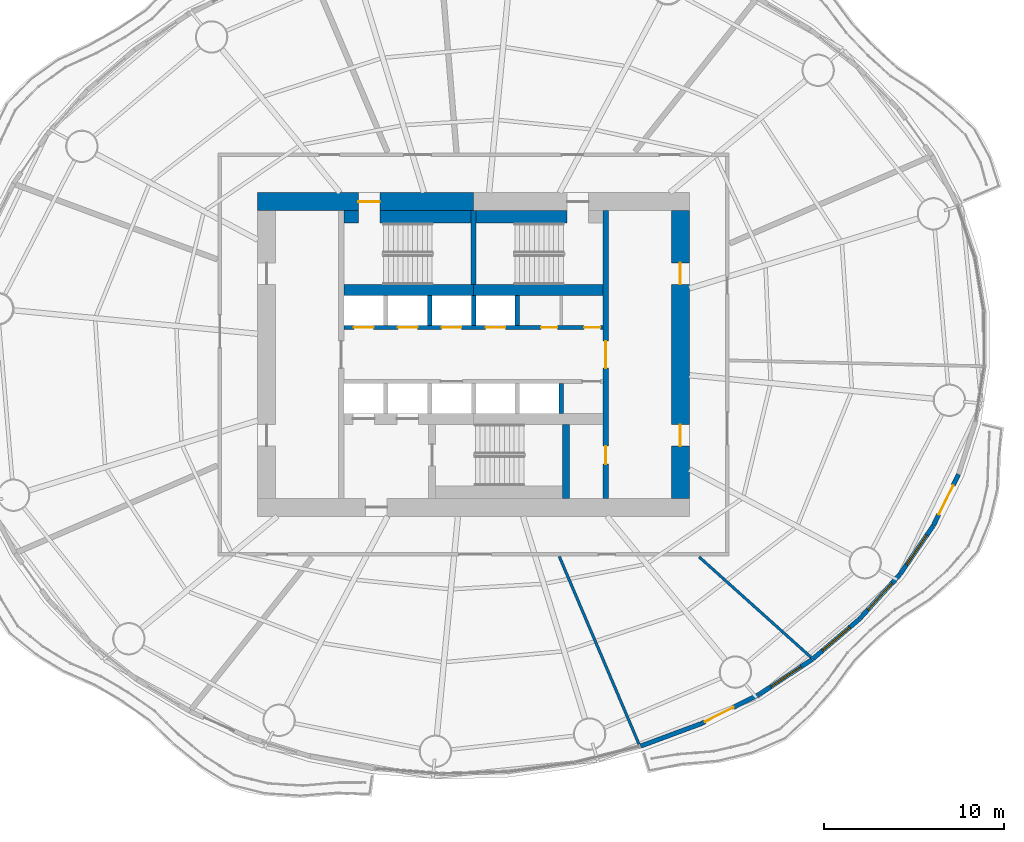
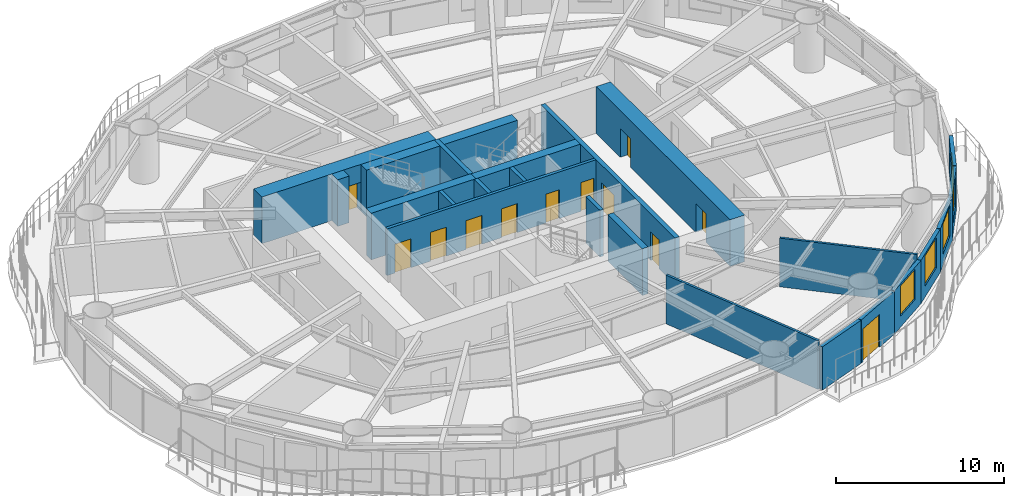
# One storey, part 9 of 17: 24 walls, 13 doors, 4 windows, 17 openings.
"""IFC4 building model written with IfcOpenShell, lengths in metres."""

from ifc_helpers import new_model, si_unit, direction, frame, frame_2d, origin, place, context, subcontext, project, spatial, rectangle, extrude, material, layer, layer_set, type_object, element, fill, save


model = new_model("IFC4")

# Units and contexts
model_context = context("Model", 3, precision=1e-05, world=origin(), true_north=direction((0.0, 1.0)))
body_context = subcontext(model_context, "Body", "Model", "MODEL_VIEW")
ifc_project = project(units=[si_unit("LENGTHUNIT", "METRE"), si_unit("AREAUNIT", "SQUARE_METRE"), si_unit("VOLUMEUNIT", "CUBIC_METRE"), si_unit("PLANEANGLEUNIT", "RADIAN"), si_unit("MASSUNIT", "GRAM", prefix="KILO")], contexts=[model_context])

# Site, building, storey
site_placement = place(None, origin())
site = spatial("IfcSite", under=ifc_project, at=site_placement, CompositionType="ELEMENT")
building_placement = place(site_placement, origin())
building = spatial("IfcBuilding", under=site, at=building_placement, Name="Vermilion Reach Broadcast Tower", CompositionType="ELEMENT")
storey_placement = place(building_placement, frame((0.0, 0.0, 54.5)))
storey = spatial("IfcBuildingStorey", under=building, at=storey_placement, Name="L10", CompositionType="ELEMENT", Elevation=54.5)

# Wall, openings, doors
ifc_material_1 = material(Name="Concrete C70", Category="concrete")
ifc_layer_1 = layer(ifc_material_1, 0.300048828125)
ifc_layer_set_1 = layer_set([ifc_layer_1], Name="Core inner wall 300 mm Concrete C70")
wall_type_1 = type_object("IfcWallType", Name="Core inner wall 300 mm Concrete C70", PredefinedType="SHEAR", material=ifc_layer_set_1)
wall_1_placement = place(storey_placement, frame((1.35009765625, -8.0, 0.0), z_axis=(0.0, 0.0, 1.0), x_axis=(0.0, 1.0, 0.0)))
wall_1 = element("IfcWall", 1, at=wall_1_placement, inside=storey, type_object=wall_type_1, Name="L10 core wall ewE", PredefinedType="SHEAR", context=body_context, shape_type="SweptSolid", body=[
    extrude(rectangle(XDim=16.0, YDim=0.300048828125, at=frame_2d((8.0, 0.0))), origin(), (0.0, 0.0, 1.0), 3.39990234375),
])
opening_1_placement = place(wall_1_placement, frame((1.909912109375, 0.0, 0.0)))
opening_1 = element("IfcOpeningElement", 2, at=opening_1_placement, cuts=wall_1, Name="Opening D05", PredefinedType="OPENING", context=body_context, shape_type="SweptSolid", body=[
    extrude(rectangle(XDim=1.0, YDim=2.10009765625, at=frame_2d((0.5, 1.050048828125))), frame((0.0, 0.159912109375, 0.0), z_axis=(0.0, -1.0, 0.0), x_axis=(1.0, 0.0, 0.0)), (0.0, 0.0, 1.0), 0.320068359375),
])
opening_2_placement = place(wall_1_placement, frame((7.25, 0.0, 0.0)))
opening_2 = element("IfcOpeningElement", 3, at=opening_2_placement, cuts=wall_1, Name="Opening D04", PredefinedType="OPENING", context=body_context, shape_type="SweptSolid", body=[
    extrude(rectangle(XDim=1.5, YDim=2.10009765625, at=frame_2d((0.75, 1.050048828125))), frame((0.0, 0.159912109375, 0.0), z_axis=(0.0, -1.0, 0.0), x_axis=(1.0, 0.0, 0.0)), (0.0, 0.0, 1.0), 0.320068359375),
])
ifc_material_2 = material(Name="Painted steel fire door", Category="steel")
door_type_1 = type_object("IfcDoorType", Name="Lift lobby door 1500 x 2100", OperationType="DOUBLE_DOOR_SINGLE_SWING", PredefinedType="NOTDEFINED", material=ifc_material_2)
door_1_placement = place(opening_2_placement, origin())
door_1 = element("IfcDoor", 4, at=door_1_placement, inside=storey, type_object=door_type_1, Name="L10 band door BE", OperationType="DOUBLE_DOOR_SINGLE_SWING", OverallHeight=2.10009765625, OverallWidth=1.5, PredefinedType="NOTDEFINED", context=body_context, shape_type="SweptSolid", body=[
    extrude(rectangle(XDim=1.5, YDim=2.10009765625, at=frame_2d((0.75, 1.050048828125))), frame((0.0, 0.02490234375, 0.0), z_axis=(0.0, -1.0, 0.0), x_axis=(1.0, 0.0, 0.0)), (0.0, 0.0, 1.0), 0.050048828125),
])
fill(opening_2, door_1)
ifc_material_3 = material(Name="Timber door", Category="wood")
door_type_2 = type_object("IfcDoorType", Name="Room door 1000 x 2100", OperationType="NOTDEFINED", PredefinedType="NOTDEFINED", material=ifc_material_3)
door_2_placement = place(opening_1_placement, origin())
door_2 = element("IfcDoor", 5, at=door_2_placement, inside=storey, type_object=door_type_2, Name="L10 door SER", OperationType="SINGLE_SWING_LEFT", OverallHeight=2.10009765625, OverallWidth=1.0, PredefinedType="NOTDEFINED", context=body_context, shape_type="SweptSolid", body=[
    extrude(rectangle(XDim=1.0, YDim=2.10009765625, at=frame_2d((0.5, 1.050048828125))), frame((0.0, 0.02490234375, 0.0), z_axis=(0.0, -1.0, 0.0), x_axis=(1.0, 0.0, 0.0)), (0.0, 0.0, 1.0), 0.050048828125),
])
fill(opening_1, door_2)

# Walls
wall_2_placement = place(storey_placement, frame((-6.0, 3.8798828125, 0.0), z_axis=(0.0, 0.0, 1.0), x_axis=(0.0, 1.0, 0.0)))
element("IfcWall", 6, at=wall_2_placement, inside=storey, type_object=wall_type_1, Name="L10 core wall wc", PredefinedType="SHEAR", context=body_context, shape_type="SweptSolid", body=[
    extrude(rectangle(XDim=4.1201171875, YDim=0.300048828125, at=frame_2d((2.06005859375, 0.0))), origin(), (0.0, 0.0, 1.0), 3.39990234375),
])
ifc_material_4 = material(Name="Concrete C70", Category="concrete")
ifc_layer_2 = layer(ifc_material_4, 0.39990234375)
ifc_layer_set_2 = layer_set([ifc_layer_2], Name="Core inner wall 400 mm Concrete C70")
wall_type_2 = type_object("IfcWallType", Name="Core inner wall 400 mm Concrete C70", PredefinedType="SHEAR", material=ifc_layer_set_2)
wall_3_placement = place(storey_placement, frame((-0.85009765625, -3.8798828125, 0.0), z_axis=(0.0, 0.0, 1.0), x_axis=(0.0, -1.0, 0.0)))
element("IfcWall", 7, at=wall_3_placement, inside=storey, type_object=wall_type_2, Name="L10 core wall wb", PredefinedType="SHEAR", context=body_context, shape_type="SweptSolid", body=[
    extrude(rectangle(XDim=4.1201171875, YDim=0.39990234375, at=frame_2d((2.06005859375, 0.0))), origin(), (0.0, 0.0, 1.0), 3.39990234375),
])
ifc_material_5 = material(Name="Concrete C70", Category="concrete")
ifc_layer_3 = layer(ifc_material_5, 0.60009765625)
ifc_layer_set_3 = layer_set([ifc_layer_3], Name="Core inner wall 600 mm Concrete C70")
wall_type_3 = type_object("IfcWallType", Name="Core inner wall 600 mm Concrete C70", PredefinedType="SHEAR", material=ifc_layer_set_3)
for number, where, z_axis, x_axis, name in (
    (8, (-13.199951171875, 3.580078125, 0.0), (0.0, 0.0, 1.0), (1.0, 0.0, 0.0), "L10 core wall winW"),
    (9, (-6.0, 3.580078125, 0.0), (0.0, 0.0, 1.0), (1.0, 0.0, 0.0), "L10 core wall winE"),
):
    element("IfcWall", number, at=place(storey_placement, frame(where, z_axis=z_axis, x_axis=x_axis)), inside=storey, type_object=wall_type_3, Name=name, PredefinedType="SHEAR", context=body_context, shape_type="SweptSolid", body=[
        extrude(rectangle(XDim=7.199951171875, YDim=0.60009765625, at=frame_2d((3.60009765625, 0.0))), origin(), (0.0, 0.0, 1.0), 3.39990234375),
    ])

# Wall, opening, door
ifc_material_6 = material(Name="Concrete C70", Category="concrete")
ifc_layer_4 = layer(ifc_material_6, 1.0)
ifc_layer_set_4 = layer_set([ifc_layer_4], Name="Core outer wall 1000 mm Concrete C70")
wall_type_4 = type_object("IfcWallType", Name="Core outer wall 1000 mm Concrete C70", PredefinedType="SHEAR", material=ifc_layer_set_4)
wall_4_placement = place(storey_placement, frame((-6.0, 8.5, 0.0), z_axis=(0.0, 0.0, 1.0), x_axis=(-1.0, 0.0, 0.0)))
wall_4 = element("IfcWall", 10, at=wall_4_placement, inside=storey, type_object=wall_type_4, Name="L10 core wall onW", PredefinedType="SHEAR", context=body_context, shape_type="SweptSolid", body=[
    extrude(rectangle(XDim=12.0, YDim=1.0, at=frame_2d((6.0, 0.0))), origin(), (0.0, 0.0, 1.0), 3.39990234375),
])
opening_3_placement = place(wall_4_placement, frame((5.199951171875, 0.0, 0.0)))
opening_3 = element("IfcOpeningElement", 11, at=opening_3_placement, cuts=wall_4, Name="Opening D01", PredefinedType="OPENING", context=body_context, shape_type="SweptSolid", body=[
    extrude(rectangle(XDim=1.199951171875, YDim=2.10009765625, at=frame_2d((0.60009765625, 1.050048828125))), frame((0.0, 0.510009765625, 0.0), z_axis=(0.0, -1.0, 0.0), x_axis=(1.0, 0.0, 0.0)), (0.0, 0.0, 1.0), 1.02001953125),
])
ifc_material_7 = material(Name="Painted steel fire door", Category="steel")
door_type_3 = type_object("IfcDoorType", Name="Stair door 1200 x 2100", OperationType="DOUBLE_DOOR_SINGLE_SWING", PredefinedType="NOTDEFINED", material=ifc_material_7)
door_3_placement = place(opening_3_placement, origin())
door_3 = element("IfcDoor", 12, at=door_3_placement, inside=storey, type_object=door_type_3, Name="L10 stair door ST1", OperationType="DOUBLE_DOOR_SINGLE_SWING", OverallHeight=2.10009765625, OverallWidth=1.199951171875, PredefinedType="NOTDEFINED", context=body_context, shape_type="SweptSolid", body=[
    extrude(rectangle(XDim=1.199951171875, YDim=2.10009765625, at=frame_2d((0.60009765625, 1.050048828125))), frame((0.0, 0.02490234375, 0.0), z_axis=(0.0, -1.0, 0.0), x_axis=(1.0, 0.0, 0.0)), (0.0, 0.0, 1.0), 0.050048828125),
])
fill(opening_3, door_3)

# Wall, openings, doors
wall_5_placement = place(storey_placement, frame((5.5, -8.0, 0.0), z_axis=(0.0, 0.0, 1.0), x_axis=(0.0, 1.0, 0.0)))
wall_5 = element("IfcWall", 13, at=wall_5_placement, inside=storey, type_object=wall_type_4, Name="L10 core wall oe", PredefinedType="SHEAR", context=body_context, shape_type="SweptSolid", body=[
    extrude(rectangle(XDim=16.0, YDim=1.0, at=frame_2d((8.0, 0.0))), origin(), (0.0, 0.0, 1.0), 3.39990234375),
])
opening_4_placement = place(wall_5_placement, frame((2.89990234375, 0.0, 0.0)))
opening_4 = element("IfcOpeningElement", 14, at=opening_4_placement, cuts=wall_5, Name="Opening D03", PredefinedType="OPENING", context=body_context, shape_type="SweptSolid", body=[
    extrude(rectangle(XDim=1.199951171875, YDim=2.10009765625, at=frame_2d((0.60009765625, 1.050048828125))), frame((0.0, 0.510009765625, 0.0), z_axis=(0.0, -1.0, 0.0), x_axis=(1.0, 0.0, 0.0)), (0.0, 0.0, 1.0), 1.02001953125),
])
opening_5_placement = place(wall_5_placement, frame((11.89990234375, 0.0, 0.0)))
opening_5 = element("IfcOpeningElement", 15, at=opening_5_placement, cuts=wall_5, Name="Opening D03", PredefinedType="OPENING", context=body_context, shape_type="SweptSolid", body=[
    extrude(rectangle(XDim=1.199951171875, YDim=2.10009765625, at=frame_2d((0.60009765625, 1.050048828125))), frame((0.0, 0.510009765625, 0.0), z_axis=(0.0, -1.0, 0.0), x_axis=(1.0, 0.0, 0.0)), (0.0, 0.0, 1.0), 1.02001953125),
])
ifc_material_8 = material(Name="Painted steel fire door", Category="steel")
door_type_4 = type_object("IfcDoorType", Name="Core lobby door 1200 x 2100", OperationType="DOUBLE_DOOR_SINGLE_SWING", PredefinedType="NOTDEFINED", material=ifc_material_8)
door_4_placement = place(opening_4_placement, origin())
door_4 = element("IfcDoor", 16, at=door_4_placement, inside=storey, type_object=door_type_4, Name="L10 slot door E0", OperationType="DOUBLE_DOOR_SINGLE_SWING", OverallHeight=2.10009765625, OverallWidth=1.199951171875, PredefinedType="NOTDEFINED", context=body_context, shape_type="SweptSolid", body=[
    extrude(rectangle(XDim=1.199951171875, YDim=2.10009765625, at=frame_2d((0.60009765625, 1.050048828125))), frame((0.0, 0.02490234375, 0.0), z_axis=(0.0, -1.0, 0.0), x_axis=(1.0, 0.0, 0.0)), (0.0, 0.0, 1.0), 0.050048828125),
])
fill(opening_4, door_4)
door_5_placement = place(opening_5_placement, origin())
door_5 = element("IfcDoor", 17, at=door_5_placement, inside=storey, type_object=door_type_4, Name="L10 slot door E1", OperationType="DOUBLE_DOOR_SINGLE_SWING", OverallHeight=2.10009765625, OverallWidth=1.199951171875, PredefinedType="NOTDEFINED", context=body_context, shape_type="SweptSolid", body=[
    extrude(rectangle(XDim=1.199951171875, YDim=2.10009765625, at=frame_2d((0.60009765625, 1.050048828125))), frame((0.0, 0.02490234375, 0.0), z_axis=(0.0, -1.0, 0.0), x_axis=(1.0, 0.0, 0.0)), (0.0, 0.0, 1.0), 0.050048828125),
])
fill(opening_5, door_5)

ifc_material_9 = material(Name="Concrete C50", Category="concrete")
ifc_layer_5 = layer(ifc_material_9, 0.199951171875)
ifc_layer_set_5 = layer_set([ifc_layer_5], Name="Core shaft wall 200 mm Concrete C50")
wall_type_5 = type_object("IfcWallType", Name="Core shaft wall 200 mm Concrete C50", PredefinedType="SHEAR", material=ifc_layer_set_5)
wall_6_placement = place(storey_placement, frame((-13.199951171875, 1.5, 0.0), z_axis=(0.0, 0.0, 1.0), x_axis=(1.0, 0.0, 0.0)))
wall_6 = element("IfcWall", 18, at=wall_6_placement, inside=storey, type_object=wall_type_5, Name="L10 core wall fn", PredefinedType="SHEAR", context=body_context, shape_type="SweptSolid", body=[
    extrude(rectangle(XDim=14.39990234375, YDim=0.199951171875, at=frame_2d((7.199951171875, 0.0))), origin(), (0.0, 0.0, 1.0), 3.39990234375),
])
opening_6_placement = place(wall_6_placement, frame((0.5458984375, 0.0, 0.0)))
opening_6 = element("IfcOpeningElement", 19, at=opening_6_placement, cuts=wall_6, Name="Opening LD2", PredefinedType="OPENING", context=body_context, shape_type="SweptSolid", body=[
    extrude(rectangle(XDim=1.10009765625, YDim=2.10009765625, at=frame_2d((0.550048828125, 1.050048828125))), frame((0.0, 0.10986328125, 0.0), z_axis=(0.0, -1.0, 0.0), x_axis=(1.0, 0.0, 0.0)), (0.0, 0.0, 1.0), 0.219970703125),
])
opening_7_placement = place(wall_6_placement, frame((2.987548828125, 0.0, 0.0)))
opening_7 = element("IfcOpeningElement", 20, at=opening_7_placement, cuts=wall_6, Name="Opening LD2", PredefinedType="OPENING", context=body_context, shape_type="SweptSolid", body=[
    extrude(rectangle(XDim=1.10009765625, YDim=2.10009765625, at=frame_2d((0.550048828125, 1.050048828125))), frame((0.0, 0.10986328125, 0.0), z_axis=(0.0, -1.0, 0.0), x_axis=(1.0, 0.0, 0.0)), (0.0, 0.0, 1.0), 0.219970703125),
])
opening_8_placement = place(wall_6_placement, frame((5.42919921875, 0.0, 0.0)))
opening_8 = element("IfcOpeningElement", 21, at=opening_8_placement, cuts=wall_6, Name="Opening LD2", PredefinedType="OPENING", context=body_context, shape_type="SweptSolid", body=[
    extrude(rectangle(XDim=1.10009765625, YDim=2.10009765625, at=frame_2d((0.550048828125, 1.050048828125))), frame((0.0, 0.10986328125, 0.0), z_axis=(0.0, -1.0, 0.0), x_axis=(1.0, 0.0, 0.0)), (0.0, 0.0, 1.0), 0.219970703125),
])
opening_9_placement = place(wall_6_placement, frame((7.870849609375, 0.0, 0.0)))
opening_9 = element("IfcOpeningElement", 22, at=opening_9_placement, cuts=wall_6, Name="Opening LD2", PredefinedType="OPENING", context=body_context, shape_type="SweptSolid", body=[
    extrude(rectangle(XDim=1.10009765625, YDim=2.10009765625, at=frame_2d((0.550048828125, 1.050048828125))), frame((0.0, 0.10986328125, 0.0), z_axis=(0.0, -1.0, 0.0), x_axis=(1.0, 0.0, 0.0)), (0.0, 0.0, 1.0), 0.219970703125),
])
opening_10_placement = place(wall_6_placement, frame((10.958251953125, 0.0, 0.0)))
opening_10 = element("IfcOpeningElement", 23, at=opening_10_placement, cuts=wall_6, Name="Opening D06", PredefinedType="OPENING", context=body_context, shape_type="SweptSolid", body=[
    extrude(rectangle(XDim=0.89990234375, YDim=2.10009765625, at=frame_2d((0.449951171875, 1.050048828125))), frame((0.0, 0.10986328125, 0.0), z_axis=(0.0, -1.0, 0.0), x_axis=(1.0, 0.0, 0.0)), (0.0, 0.0, 1.0), 0.219970703125),
])
opening_11_placement = place(wall_6_placement, frame((13.35009765625, 0.0, 0.0)))
opening_11 = element("IfcOpeningElement", 24, at=opening_11_placement, cuts=wall_6, Name="Opening D06", PredefinedType="OPENING", context=body_context, shape_type="SweptSolid", body=[
    extrude(rectangle(XDim=0.89990234375, YDim=2.10009765625, at=frame_2d((0.449951171875, 1.050048828125))), frame((0.0, 0.10986328125, 0.0), z_axis=(0.0, -1.0, 0.0), x_axis=(1.0, 0.0, 0.0)), (0.0, 0.0, 1.0), 0.219970703125),
])
ifc_material_10 = material(Name="Stainless steel", Category="steel")
door_type_5 = type_object("IfcDoorType", Name="Landing door 1100 x 2100", OperationType="DOUBLE_DOOR_SLIDING", PredefinedType="NOTDEFINED", material=ifc_material_10)
door_6_placement = place(opening_6_placement, origin())
door_6 = element("IfcDoor", 25, at=door_6_placement, inside=storey, type_object=door_type_5, Name="L10 landing door LR1", OperationType="DOUBLE_DOOR_SLIDING", OverallHeight=2.10009765625, OverallWidth=1.10009765625, PredefinedType="NOTDEFINED", context=body_context, shape_type="SweptSolid", body=[
    extrude(rectangle(XDim=1.10009765625, YDim=2.10009765625, at=frame_2d((0.550048828125, 1.050048828125))), frame((0.0, 0.02490234375, 0.0), z_axis=(0.0, -1.0, 0.0), x_axis=(1.0, 0.0, 0.0)), (0.0, 0.0, 1.0), 0.050048828125),
])
fill(opening_6, door_6)
door_7_placement = place(opening_7_placement, origin())
door_7 = element("IfcDoor", 26, at=door_7_placement, inside=storey, type_object=door_type_5, Name="L10 landing door LR2", OperationType="DOUBLE_DOOR_SLIDING", OverallHeight=2.10009765625, OverallWidth=1.10009765625, PredefinedType="NOTDEFINED", context=body_context, shape_type="SweptSolid", body=[
    extrude(rectangle(XDim=1.10009765625, YDim=2.10009765625, at=frame_2d((0.550048828125, 1.050048828125))), frame((0.0, 0.02490234375, 0.0), z_axis=(0.0, -1.0, 0.0), x_axis=(1.0, 0.0, 0.0)), (0.0, 0.0, 1.0), 0.050048828125),
])
fill(opening_7, door_7)
door_8_placement = place(opening_8_placement, origin())
door_8 = element("IfcDoor", 27, at=door_8_placement, inside=storey, type_object=door_type_5, Name="L10 landing door LR3", OperationType="DOUBLE_DOOR_SLIDING", OverallHeight=2.10009765625, OverallWidth=1.10009765625, PredefinedType="NOTDEFINED", context=body_context, shape_type="SweptSolid", body=[
    extrude(rectangle(XDim=1.10009765625, YDim=2.10009765625, at=frame_2d((0.550048828125, 1.050048828125))), frame((0.0, 0.02490234375, 0.0), z_axis=(0.0, -1.0, 0.0), x_axis=(1.0, 0.0, 0.0)), (0.0, 0.0, 1.0), 0.050048828125),
])
fill(opening_8, door_8)
door_9_placement = place(opening_9_placement, origin())
door_9 = element("IfcDoor", 28, at=door_9_placement, inside=storey, type_object=door_type_5, Name="L10 landing door LR4", OperationType="DOUBLE_DOOR_SLIDING", OverallHeight=2.10009765625, OverallWidth=1.10009765625, PredefinedType="NOTDEFINED", context=body_context, shape_type="SweptSolid", body=[
    extrude(rectangle(XDim=1.10009765625, YDim=2.10009765625, at=frame_2d((0.550048828125, 1.050048828125))), frame((0.0, 0.02490234375, 0.0), z_axis=(0.0, -1.0, 0.0), x_axis=(1.0, 0.0, 0.0)), (0.0, 0.0, 1.0), 0.050048828125),
])
fill(opening_9, door_9)
ifc_material_11 = material(Name="Timber door", Category="wood")
door_type_6 = type_object("IfcDoorType", Name="WC door 900 x 2100", OperationType="NOTDEFINED", PredefinedType="NOTDEFINED", material=ifc_material_11)
door_10_placement = place(opening_10_placement, origin())
door_10 = element("IfcDoor", 29, at=door_10_placement, inside=storey, type_object=door_type_6, Name="L10 door Female WC", OperationType="SINGLE_SWING_RIGHT", OverallHeight=2.10009765625, OverallWidth=0.89990234375, PredefinedType="NOTDEFINED", context=body_context, shape_type="SweptSolid", body=[
    extrude(rectangle(XDim=0.89990234375, YDim=2.10009765625, at=frame_2d((0.449951171875, 1.050048828125))), frame((0.0, 0.02490234375, 0.0), z_axis=(0.0, -1.0, 0.0), x_axis=(1.0, 0.0, 0.0)), (0.0, 0.0, 1.0), 0.050048828125),
])
fill(opening_10, door_10)
door_11_placement = place(opening_11_placement, origin())
door_11 = element("IfcDoor", 30, at=door_11_placement, inside=storey, type_object=door_type_6, Name="L10 door Male WC", OperationType="SINGLE_SWING_RIGHT", OverallHeight=2.10009765625, OverallWidth=0.89990234375, PredefinedType="NOTDEFINED", context=body_context, shape_type="SweptSolid", body=[
    extrude(rectangle(XDim=0.89990234375, YDim=2.10009765625, at=frame_2d((0.449951171875, 1.050048828125))), frame((0.0, 0.02490234375, 0.0), z_axis=(0.0, -1.0, 0.0), x_axis=(1.0, 0.0, 0.0)), (0.0, 0.0, 1.0), 0.050048828125),
])
fill(opening_11, door_11)

# Walls
ifc_material_12 = material(Name="Concrete C50", Category="concrete")
ifc_layer_6 = layer(ifc_material_12, 0.25)
ifc_layer_set_6 = layer_set([ifc_layer_6], Name="Core shaft wall 250 mm Concrete C50")
wall_type_6 = type_object("IfcWallType", Name="Core shaft wall 250 mm Concrete C50", PredefinedType="SHEAR", material=ifc_layer_set_6)
for number, where, z_axis, x_axis, name in (
    (31, (-8.441650390625, 1.60009765625, 0.0), (0.0, 0.0, 1.0), (0.0, 1.0, 0.0), "L10 core wall psN1"),
    (32, (-6.0, 1.60009765625, 0.0), (0.0, 0.0, 1.0), (0.0, 1.0, 0.0), "L10 core wall psN2"),
    (33, (-3.558349609375, 1.60009765625, 0.0), (0.0, 0.0, 1.0), (0.0, 1.0, 0.0), "L10 core wall psN3"),
    (34, (-1.11669921875, -1.60009765625, 0.0), (0.0, 0.0, 1.0), (0.0, -1.0, 0.0), "L10 core wall psS4"),
):
    element("IfcWall", number, at=place(storey_placement, frame(where, z_axis=z_axis, x_axis=x_axis)), inside=storey, type_object=wall_type_6, Name=name, PredefinedType="SHEAR", context=body_context, shape_type="SweptSolid", body=[
        extrude(rectangle(XDim=1.679931640625, YDim=0.25, at=frame_2d((0.83984375, 0.0))), origin(), (0.0, 0.0, 1.0), 3.39990234375),
    ])
ifc_material_13 = material(Name="Concrete C70", Category="concrete")
ifc_layer_7 = layer(ifc_material_13, 0.699951171875)
ifc_layer_set_7 = layer_set([ifc_layer_7], Name="Core stair wall 700 mm Concrete C70")
wall_type_7 = type_object("IfcWallType", Name="Core stair wall 700 mm Concrete C70", PredefinedType="SHEAR", material=ifc_layer_set_7)
wall_7_placement = place(storey_placement, frame((-13.199951171875, 7.64990234375, 0.0), z_axis=(0.0, 0.0, 1.0), x_axis=(1.0, 0.0, 0.0)))
element("IfcWall", 35, at=wall_7_placement, inside=storey, type_object=wall_type_7, Name="L10 core wall l1a", PredefinedType="SHEAR", context=body_context, shape_type="SweptSolid", body=[
    extrude(rectangle(XDim=0.800048828125, YDim=0.699951171875, at=frame_2d((0.39990234375, 0.0))), origin(), (0.0, 0.0, 1.0), 3.39990234375),
])
for number, where, z_axis, x_axis, name in (
    (36, (-11.199951171875, 7.64990234375, 0.0), (0.0, 0.0, 1.0), (1.0, 0.0, 0.0), "L10 core wall l1b"),
    (37, (-5.85009765625, 7.64990234375, 0.0), (0.0, 0.0, 1.0), (1.0, 0.0, 0.0), "L10 core wall l2a"),
):
    element("IfcWall", number, at=place(storey_placement, frame(where, z_axis=z_axis, x_axis=x_axis)), inside=storey, type_object=wall_type_7, Name=name, PredefinedType="SHEAR", context=body_context, shape_type="SweptSolid", body=[
        extrude(rectangle(XDim=5.050048828125, YDim=0.699951171875, at=frame_2d((2.52490234375, 0.0))), origin(), (0.0, 0.0, 1.0), 3.39990234375),
    ])
ifc_material_14 = material(Name="Lightweight concrete block, plastered", Category="concrete")
ifc_layer_8 = layer(ifc_material_14, 0.14990234375)
ifc_layer_set_8 = layer_set([ifc_layer_8], Name="Partition 150 lightweight block")
wall_type_8 = type_object("IfcWallType", Name="Partition 150 lightweight block", PredefinedType="PARTITIONING", material=ifc_layer_set_8)
wall_8_placement = place(storey_placement, frame((3.205078125, -21.675048828125, 0.0), z_axis=(0.0, 0.0, 1.0), x_axis=(-0.390884614582, 0.920439687369, 0.0)))
element("IfcWall", 38, at=wall_8_placement, inside=storey, type_object=wall_type_8, Name="Partition 10.08", PredefinedType="PARTITIONING", context=body_context, shape_type="SweptSolid", body=[
    extrude(rectangle(XDim=11.3486328125, YDim=0.14990234375, at=frame_2d((5.67431640625, 0.0))), origin(), (0.0, 0.0, 1.0), 3.550048828125),
])
wall_9_placement = place(storey_placement, frame((12.7724609375, -16.84228515625, 0.0), z_axis=(0.0, 0.0, 1.0), x_axis=(-0.744332297439, 0.667809427149, 0.0)))
element("IfcWall", 39, at=wall_9_placement, inside=storey, type_object=wall_type_8, Name="Partition 10.09", PredefinedType="PARTITIONING", context=body_context, shape_type="SweptSolid", body=[
    extrude(rectangle(XDim=8.365234375, YDim=0.14990234375, at=frame_2d((4.1826171875, 0.0))), origin(), (0.0, 0.0, 1.0), 3.550048828125),
])
ifc_material_15 = material(Name="Terracotta rainscreen cladding", Category="masonry")
ifc_layer_9 = layer(ifc_material_15, 0.25)
ifc_layer_set_9 = layer_set([ifc_layer_9], Name="Terracotta rainscreen wall 250")
wall_type_9 = type_object("IfcWallType", Name="Terracotta rainscreen wall 250", PredefinedType="SOLIDWALL", material=ifc_layer_set_9)
wall_10_placement = place(storey_placement, frame((3.293701171875, -21.775390625, 0.0), z_axis=(0.0, 0.0, 1.0), x_axis=(0.937607214699, 0.347696291244, 0.0)))
element("IfcWall", 40, at=wall_10_placement, inside=storey, type_object=wall_type_9, Name="External wall L10 38", PredefinedType="SOLIDWALL", context=body_context, shape_type="SweptSolid", body=[
    extrude(rectangle(XDim=3.601318359375, YDim=0.25, at=frame_2d((1.80078125, 0.0))), origin(), (0.0, 0.0, 1.0), 3.14990234375),
])

# Wall, opening, door
wall_11_placement = place(storey_placement, frame((6.690673828125, -20.514404296875, 0.0), z_axis=(0.0, 0.0, 1.0), x_axis=(0.892553821927, 0.45094087746, 0.0)))
wall_11 = element("IfcWall", 41, at=wall_11_placement, inside=storey, type_object=wall_type_9, Name="External wall L10 39", PredefinedType="SOLIDWALL", context=body_context, shape_type="SweptSolid", body=[
    extrude(rectangle(XDim=3.585693359375, YDim=0.25, at=frame_2d((1.79296875, 0.0))), origin(), (0.0, 0.0, 1.0), 3.14990234375),
])
opening_12_placement = place(wall_11_placement, frame((0.193115234375, 0.0, 0.0)))
opening_12 = element("IfcOpeningElement", 42, at=opening_12_placement, cuts=wall_11, Name="Opening D70", PredefinedType="OPENING", context=body_context, shape_type="SweptSolid", body=[
    extrude(rectangle(XDim=1.800048828125, YDim=2.39990234375, at=frame_2d((0.89990234375, 1.199951171875))), frame((0.0, 0.135009765625, 0.0), z_axis=(0.0, -1.0, 0.0), x_axis=(1.0, 0.0, 0.0)), (0.0, 0.0, 1.0), 0.27001953125),
])
ifc_material_16 = material(Name="Low-e laminated clear glass in aluminium frame", Category="aluminium")
door_type_7 = type_object("IfcDoorType", Name="Balcony sliding door 1800 x 2400", OperationType="DOUBLE_DOOR_SLIDING", PredefinedType="DOOR", material=ifc_material_16)
door_12_placement = place(opening_12_placement, origin())
door_12 = element("IfcDoor", 43, at=door_12_placement, inside=storey, type_object=door_type_7, Name="Balcony door L10 run 10", OperationType="DOUBLE_DOOR_SLIDING", OverallHeight=2.39990234375, OverallWidth=1.800048828125, PredefinedType="DOOR", context=body_context, shape_type="SweptSolid", body=[
    extrude(rectangle(XDim=1.800048828125, YDim=2.39990234375, at=frame_2d((0.89990234375, 1.199951171875))), frame((0.0, 0.02490234375, 0.0), z_axis=(0.0, -1.0, 0.0), x_axis=(1.0, 0.0, 0.0)), (0.0, 0.0, 1.0), 0.050048828125),
])
fill(opening_12, door_12)

# Wall, opening, window
wall_12_placement = place(storey_placement, frame((9.91064453125, -18.88623046875, 0.0), z_axis=(0.0, 0.0, 1.0), x_axis=(0.833854064254, 0.551984963135, 0.0)))
wall_12 = element("IfcWall", 44, at=wall_12_placement, inside=storey, type_object=wall_type_9, Name="External wall L10 40", PredefinedType="SOLIDWALL", context=body_context, shape_type="SweptSolid", body=[
    extrude(rectangle(XDim=3.510498046875, YDim=0.25, at=frame_2d((1.75537109375, 0.0))), origin(), (0.0, 0.0, 1.0), 3.14990234375),
])
opening_13_placement = place(wall_12_placement, frame((0.75537109375, 0.0, 0.800048828125)))
opening_13 = element("IfcOpeningElement", 45, at=opening_13_placement, cuts=wall_12, Name="Opening W01", PredefinedType="OPENING", context=body_context, shape_type="SweptSolid", body=[
    extrude(rectangle(XDim=2.0, YDim=2.199951171875, at=frame_2d((1.0, 1.10009765625))), frame((0.0, 0.135009765625, 0.0), z_axis=(0.0, -1.0, 0.0), x_axis=(1.0, 0.0, 0.0)), (0.0, 0.0, 1.0), 0.27001953125),
])
ifc_material_17 = material(Name="Low-e laminated clear glass in aluminium frame", Category="aluminium")
window_type = type_object("IfcWindowType", Name="Punched window 2000 x 2200 sill 800", PartitioningType="SINGLE_PANEL", PredefinedType="WINDOW", material=ifc_material_17)
window_1_placement = place(opening_13_placement, origin())
window_1 = element("IfcWindow", 46, at=window_1_placement, inside=storey, type_object=window_type, Name="Window L10 40", OverallHeight=2.199951171875, OverallWidth=2.0, PartitioningType="SINGLE_PANEL", PredefinedType="WINDOW", context=body_context, shape_type="SweptSolid", body=[
    extrude(rectangle(XDim=2.0, YDim=2.199951171875, at=frame_2d((1.0, 1.10009765625))), frame((0.0, 0.030029296875, 0.0), z_axis=(0.0, -1.0, 0.0), x_axis=(1.0, 0.0, 0.0)), (0.0, 0.0, 1.0), 0.06005859375),
])
fill(opening_13, window_1)

wall_13_placement = place(storey_placement, frame((12.8564453125, -16.9345703125, 0.0), z_axis=(0.0, 0.0, 1.0), x_axis=(0.760387612855, 0.649469536019, 0.0)))
wall_13 = element("IfcWall", 47, at=wall_13_placement, inside=storey, type_object=wall_type_9, Name="External wall L10 41", PredefinedType="SOLIDWALL", context=body_context, shape_type="SweptSolid", body=[
    extrude(rectangle(XDim=3.4248046875, YDim=0.25, at=frame_2d((1.71240234375, 0.0))), origin(), (0.0, 0.0, 1.0), 3.14990234375),
])
opening_14_placement = place(wall_13_placement, frame((0.71240234375, 0.0, 0.800048828125)))
opening_14 = element("IfcOpeningElement", 48, at=opening_14_placement, cuts=wall_13, Name="Opening W01", PredefinedType="OPENING", context=body_context, shape_type="SweptSolid", body=[
    extrude(rectangle(XDim=2.0, YDim=2.199951171875, at=frame_2d((1.0, 1.10009765625))), frame((0.0, 0.135009765625, 0.0), z_axis=(0.0, -1.0, 0.0), x_axis=(1.0, 0.0, 0.0)), (0.0, 0.0, 1.0), 0.27001953125),
])
window_2_placement = place(opening_14_placement, origin())
window_2 = element("IfcWindow", 49, at=window_2_placement, inside=storey, type_object=window_type, Name="Window L10 41", OverallHeight=2.199951171875, OverallWidth=2.0, PartitioningType="SINGLE_PANEL", PredefinedType="WINDOW", context=body_context, shape_type="SweptSolid", body=[
    extrude(rectangle(XDim=2.0, YDim=2.199951171875, at=frame_2d((1.0, 1.10009765625))), frame((0.0, 0.030029296875, 0.0), z_axis=(0.0, -1.0, 0.0), x_axis=(1.0, 0.0, 0.0)), (0.0, 0.0, 1.0), 0.06005859375),
])
fill(opening_14, window_2)

wall_14_placement = place(storey_placement, frame((15.47802734375, -14.693359375, 0.0), z_axis=(0.0, 0.0, 1.0), x_axis=(0.670965097122, 0.74148893346, 0.0)))
wall_14 = element("IfcWall", 50, at=wall_14_placement, inside=storey, type_object=wall_type_9, Name="External wall L10 42", PredefinedType="SOLIDWALL", context=body_context, shape_type="SweptSolid", body=[
    extrude(rectangle(XDim=3.333740234375, YDim=0.25, at=frame_2d((1.6669921875, 0.0))), origin(), (0.0, 0.0, 1.0), 3.14990234375),
])
opening_15_placement = place(wall_14_placement, frame((0.6669921875, 0.0, 0.800048828125)))
opening_15 = element("IfcOpeningElement", 51, at=opening_15_placement, cuts=wall_14, Name="Opening W01", PredefinedType="OPENING", context=body_context, shape_type="SweptSolid", body=[
    extrude(rectangle(XDim=2.0, YDim=2.199951171875, at=frame_2d((1.0, 1.10009765625))), frame((0.0, 0.135009765625, 0.0), z_axis=(0.0, -1.0, 0.0), x_axis=(1.0, 0.0, 0.0)), (0.0, 0.0, 1.0), 0.27001953125),
])
window_3_placement = place(opening_15_placement, origin())
window_3 = element("IfcWindow", 52, at=window_3_placement, inside=storey, type_object=window_type, Name="Window L10 42", OverallHeight=2.199951171875, OverallWidth=2.0, PartitioningType="SINGLE_PANEL", PredefinedType="WINDOW", context=body_context, shape_type="SweptSolid", body=[
    extrude(rectangle(XDim=2.0, YDim=2.199951171875, at=frame_2d((1.0, 1.10009765625))), frame((0.0, 0.030029296875, 0.0), z_axis=(0.0, -1.0, 0.0), x_axis=(1.0, 0.0, 0.0)), (0.0, 0.0, 1.0), 0.06005859375),
])
fill(opening_15, window_3)

wall_15_placement = place(storey_placement, frame((17.730224609375, -12.201904296875, 0.0), z_axis=(0.0, 0.0, 1.0), x_axis=(0.564924055241, 0.825142903872, 0.0)))
wall_15 = element("IfcWall", 53, at=wall_15_placement, inside=storey, type_object=wall_type_9, Name="External wall L10 43", PredefinedType="SOLIDWALL", context=body_context, shape_type="SweptSolid", body=[
    extrude(rectangle(XDim=3.243408203125, YDim=0.25, at=frame_2d((1.62158203125, 0.0))), origin(), (0.0, 0.0, 1.0), 3.14990234375),
])
opening_16_placement = place(wall_15_placement, frame((0.62158203125, 0.0, 0.800048828125)))
opening_16 = element("IfcOpeningElement", 54, at=opening_16_placement, cuts=wall_15, Name="Opening W01", PredefinedType="OPENING", context=body_context, shape_type="SweptSolid", body=[
    extrude(rectangle(XDim=2.0, YDim=2.199951171875, at=frame_2d((1.0, 1.10009765625))), frame((0.0, 0.135009765625, 0.0), z_axis=(0.0, -1.0, 0.0), x_axis=(1.0, 0.0, 0.0)), (0.0, 0.0, 1.0), 0.27001953125),
])
window_4_placement = place(opening_16_placement, origin())
window_4 = element("IfcWindow", 55, at=window_4_placement, inside=storey, type_object=window_type, Name="Window L10 43", OverallHeight=2.199951171875, OverallWidth=2.0, PartitioningType="SINGLE_PANEL", PredefinedType="WINDOW", context=body_context, shape_type="SweptSolid", body=[
    extrude(rectangle(XDim=2.0, YDim=2.199951171875, at=frame_2d((1.0, 1.10009765625))), frame((0.0, 0.030029296875, 0.0), z_axis=(0.0, -1.0, 0.0), x_axis=(1.0, 0.0, 0.0)), (0.0, 0.0, 1.0), 0.06005859375),
])
fill(opening_16, window_4)

# Wall, opening, door
wall_16_placement = place(storey_placement, frame((19.575439453125, -9.50341796875, 0.0), z_axis=(0.0, 0.0, 1.0), x_axis=(0.442106876823, 0.896962379069, 0.0)))
wall_16 = element("IfcWall", 56, at=wall_16_placement, inside=storey, type_object=wall_type_9, Name="External wall L10 44", PredefinedType="SOLIDWALL", context=body_context, shape_type="SweptSolid", body=[
    extrude(rectangle(XDim=3.159912109375, YDim=0.25, at=frame_2d((1.580078125, 0.0))), origin(), (0.0, 0.0, 1.0), 3.14990234375),
])
opening_17_placement = place(wall_16_placement, frame((0.679931640625, 0.0, 0.0)))
opening_17 = element("IfcOpeningElement", 57, at=opening_17_placement, cuts=wall_16, Name="Opening D70", PredefinedType="OPENING", context=body_context, shape_type="SweptSolid", body=[
    extrude(rectangle(XDim=1.800048828125, YDim=2.39990234375, at=frame_2d((0.89990234375, 1.199951171875))), frame((0.0, 0.135009765625, 0.0), z_axis=(0.0, -1.0, 0.0), x_axis=(1.0, 0.0, 0.0)), (0.0, 0.0, 1.0), 0.27001953125),
])
door_13_placement = place(opening_17_placement, origin())
door_13 = element("IfcDoor", 58, at=door_13_placement, inside=storey, type_object=door_type_7, Name="Balcony door L10 run 11", OperationType="DOUBLE_DOOR_SLIDING", OverallHeight=2.39990234375, OverallWidth=1.800048828125, PredefinedType="DOOR", context=body_context, shape_type="SweptSolid", body=[
    extrude(rectangle(XDim=1.800048828125, YDim=2.39990234375, at=frame_2d((0.89990234375, 1.199951171875))), frame((0.0, 0.02490234375, 0.0), z_axis=(0.0, -1.0, 0.0), x_axis=(1.0, 0.0, 0.0)), (0.0, 0.0, 1.0), 0.050048828125),
])
fill(opening_17, door_13)

save(model, "model.ifc")
